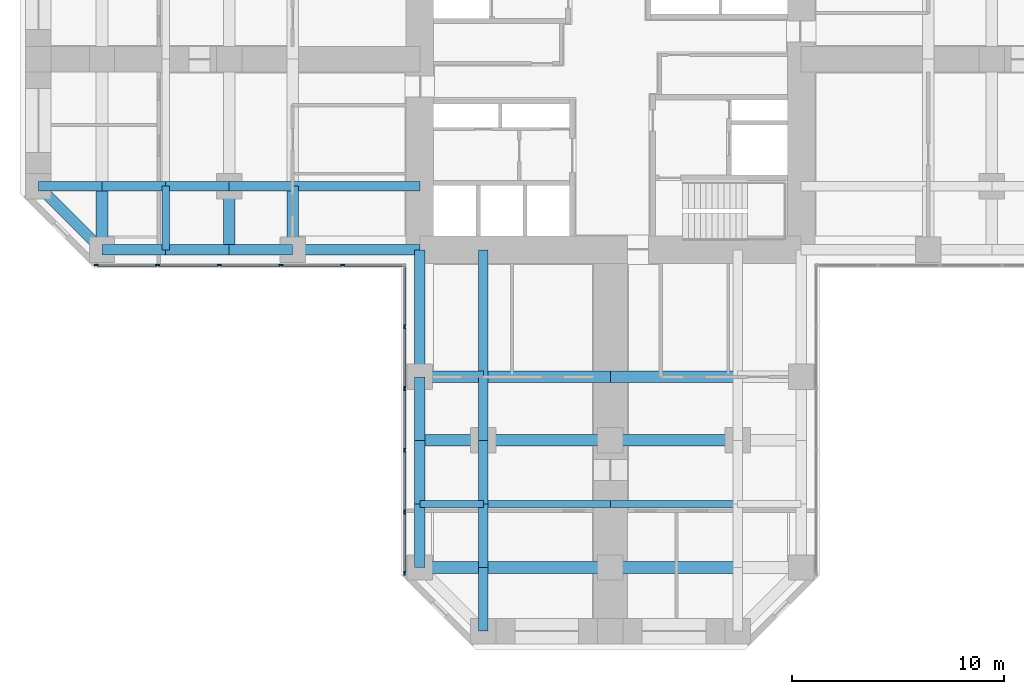
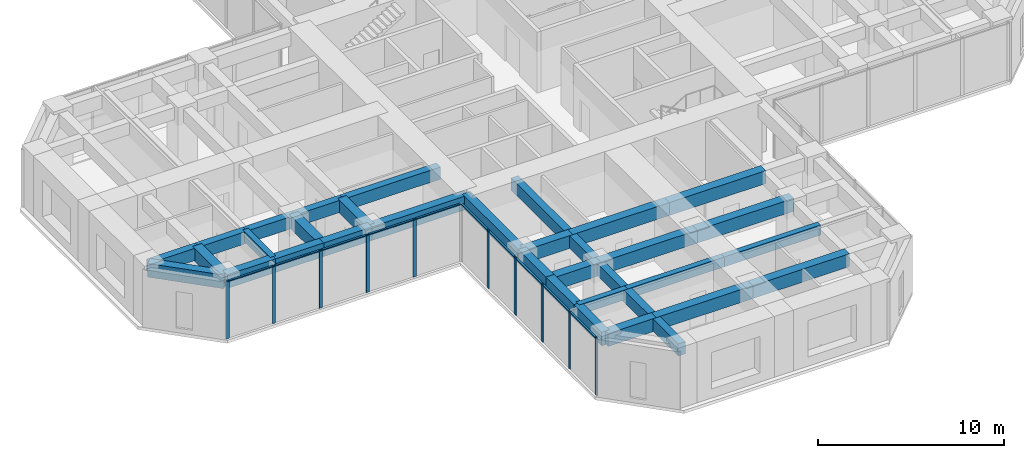
# One storey, part 2 of 13: 35 beams, 20 members, 2 elements without a shape of their own.
"""IFC4 building model written with IfcOpenShell, lengths in metres."""

from ifc_helpers import new_model, si_unit, direction, frame, origin, origin_2d, place, context, subcontext, project, spatial, rectangle, extrude, material, material_profile, profile_set, type_object, element, aggregate, save


model = new_model("IFC4")

# Units and contexts
model_context = context("Model", 3, precision=1e-05, world=origin(), true_north=direction((0.0, 1.0)))
body_context = subcontext(model_context, "Body", "Model", "MODEL_VIEW")
ifc_project = project(units=[si_unit("LENGTHUNIT", "METRE"), si_unit("AREAUNIT", "SQUARE_METRE"), si_unit("VOLUMEUNIT", "CUBIC_METRE"), si_unit("PLANEANGLEUNIT", "RADIAN"), si_unit("MASSUNIT", "GRAM", prefix="KILO")], contexts=[model_context])

# Site, building, storey
site_placement = place(None, origin())
site = spatial("IfcSite", under=ifc_project, at=site_placement, CompositionType="ELEMENT")
building_placement = place(site_placement, origin())
building = spatial("IfcBuilding", under=site, at=building_placement, Name="Torre Cruceta", CompositionType="ELEMENT")
storey_placement = place(building_placement, frame((0.0, 0.0, 47.5)))
storey = spatial("IfcBuildingStorey", under=building, at=storey_placement, Name="L11", CompositionType="ELEMENT", Elevation=47.5)

# Beams
ifc_material_1 = material(Name="Concrete G60 (fck 60 MPa)", Category="concrete")
ifc_material_profile_1 = material_profile(ifc_material_1, rectangle(XDim=0.449951171875, YDim=0.800048828125, at=origin_2d()), Name="RC 450X800")
ifc_profile_set_1 = profile_set([ifc_material_profile_1], Name="Concrete G60 (fck 60 MPa)")
beam_type_1 = type_object("IfcBeamType", Name="COLUMN LINE BEAM RC 450X800", PredefinedType="BEAM", material=ifc_profile_set_1)
beam_1_placement = place(storey_placement, frame((-6.0, -9.0, 3.39990234375), z_axis=(0.0, -1.0, 0.0), x_axis=(1.0, 0.0, 0.0)))
element("IfcBeam", 1, at=beam_1_placement, inside=storey, type_object=beam_type_1, Name="LB1 L11 S col- 1", PredefinedType="BEAM", context=body_context, shape_type="SweptSolid", body=[
    extrude(rectangle(XDim=0.449951171875, YDim=0.800048828125, at=origin_2d()), origin(), (0.0, 0.0, 1.0), 6.0),
])
for number, where, z_axis, x_axis, name in (
    (2, (-6.0, -15.0, 3.39990234375), (0.0, -1.0, 0.0), (1.0, 0.0, 0.0), "LB1 L11 S col- 2"),
    (3, (-6.0, -18.0, 3.39990234375), (0.0, -1.0, 0.0), (1.0, 0.0, 0.0), "LB1 L11 S col- 3"),
    (4, (-6.0, -21.0, 3.39990234375), (0.0, -1.0, 0.0), (1.0, 0.0, 0.0), "LB1 L11 S col- 4"),
    (5, (-6.0, -24.0, 3.39990234375), (0.0, -1.0, 0.0), (1.0, 0.0, 0.0), "LB1 L11 S col- 5"),
):
    element("IfcBeam", number, at=place(storey_placement, frame(where, z_axis=z_axis, x_axis=x_axis)), inside=storey, type_object=beam_type_1, Name=name, PredefinedType="BEAM", context=body_context, shape_type="SweptSolid", body=[
        extrude(rectangle(XDim=0.449951171875, YDim=0.800048828125, at=origin_2d()), origin(), (0.0, 0.0, 1.0), 3.0),
    ])
beam_2_placement = place(storey_placement, frame((-9.0, -6.0, 3.39990234375), z_axis=(-1.0, 0.0, 0.0), x_axis=(0.0, -1.0, 0.0)))
element("IfcBeam", 6, at=beam_2_placement, inside=storey, type_object=beam_type_1, Name="LB1 L11 W col+ 1", PredefinedType="BEAM", context=body_context, shape_type="SweptSolid", body=[
    extrude(rectangle(XDim=0.449951171875, YDim=0.800048828125, at=origin_2d()), origin(), (0.0, 0.0, 1.0), 6.0),
])
for number, where, z_axis, x_axis, name in (
    (7, (-15.0, -6.0, 3.39990234375), (-1.0, 0.0, 0.0), (0.0, -1.0, 0.0), "LB1 L11 W col+ 2"),
    (8, (-18.0, -6.0, 3.39990234375), (-1.0, 0.0, 0.0), (0.0, -1.0, 0.0), "LB1 L11 W col+ 3"),
    (9, (-21.0, -6.0, 3.39990234375), (-1.0, 0.0, 0.0), (0.0, -1.0, 0.0), "LB1 L11 W col+ 4"),
    (10, (-24.0, -6.0, 3.39990234375), (-1.0, 0.0, 0.0), (0.0, -1.0, 0.0), "LB1 L11 W col+ 5"),
):
    element("IfcBeam", number, at=place(storey_placement, frame(where, z_axis=z_axis, x_axis=x_axis)), inside=storey, type_object=beam_type_1, Name=name, PredefinedType="BEAM", context=body_context, shape_type="SweptSolid", body=[
        extrude(rectangle(XDim=0.449951171875, YDim=0.800048828125, at=origin_2d()), origin(), (0.0, 0.0, 1.0), 3.0),
    ])
ifc_material_2 = material(Name="Concrete G60 (fck 60 MPa)", Category="concrete")
ifc_material_profile_2 = material_profile(ifc_material_2, rectangle(XDim=0.550048828125, YDim=0.85009765625, at=origin_2d()), Name="RC 550X850")
ifc_profile_set_2 = profile_set([ifc_material_profile_2], Name="Concrete G60 (fck 60 MPa)")
beam_type_2 = type_object("IfcBeamType", Name="CROSS BEAM RC 550X850", PredefinedType="BEAM", material=ifc_profile_set_2)
beam_3_placement = place(storey_placement, frame((-9.0, -15.0, 3.375), z_axis=(1.0, 0.0, 0.0), x_axis=(0.0, 1.0, 0.0)))
element("IfcBeam", 11, at=beam_3_placement, inside=storey, type_object=beam_type_2, Name="GB4 L11 S cross15 1", PredefinedType="BEAM", context=body_context, shape_type="SweptSolid", body=[
    extrude(rectangle(XDim=0.550048828125, YDim=0.85009765625, at=origin_2d()), origin(), (0.0, 0.0, 1.0), 3.0),
])
for number, where, z_axis, x_axis, name in (
    (12, (-6.0, -15.0, 3.375), (1.0, 0.0, 0.0), (0.0, 1.0, 0.0), "GB4 L11 S cross15 2"),
    (13, (0.0, -15.0, 3.375), (1.0, 0.0, 0.0), (0.0, 1.0, 0.0), "GB4 L11 S cross15 3"),
):
    element("IfcBeam", number, at=place(storey_placement, frame(where, z_axis=z_axis, x_axis=x_axis)), inside=storey, type_object=beam_type_2, Name=name, PredefinedType="BEAM", context=body_context, shape_type="SweptSolid", body=[
        extrude(rectangle(XDim=0.550048828125, YDim=0.85009765625, at=origin_2d()), origin(), (0.0, 0.0, 1.0), 6.0),
    ])
beam_4_placement = place(storey_placement, frame((-9.0, -18.0, 3.375), z_axis=(1.0, 0.0, 0.0), x_axis=(0.0, 1.0, 0.0)))
element("IfcBeam", 14, at=beam_4_placement, inside=storey, type_object=beam_type_2, Name="GB4 L11 S cross18 1", PredefinedType="BEAM", context=body_context, shape_type="SweptSolid", body=[
    extrude(rectangle(XDim=0.550048828125, YDim=0.85009765625, at=origin_2d()), origin(), (0.0, 0.0, 1.0), 3.0),
])
for number, where, z_axis, x_axis, name in (
    (15, (-6.0, -18.0, 3.375), (1.0, 0.0, 0.0), (0.0, 1.0, 0.0), "GB4 L11 S cross18 2"),
    (16, (0.0, -18.0, 3.375), (1.0, 0.0, 0.0), (0.0, 1.0, 0.0), "GB4 L11 S cross18 3"),
):
    element("IfcBeam", number, at=place(storey_placement, frame(where, z_axis=z_axis, x_axis=x_axis)), inside=storey, type_object=beam_type_2, Name=name, PredefinedType="BEAM", context=body_context, shape_type="SweptSolid", body=[
        extrude(rectangle(XDim=0.550048828125, YDim=0.85009765625, at=origin_2d()), origin(), (0.0, 0.0, 1.0), 6.0),
    ])
beam_5_placement = place(storey_placement, frame((-9.0, -24.0, 3.375), z_axis=(1.0, 0.0, 0.0), x_axis=(0.0, 1.0, 0.0)))
element("IfcBeam", 17, at=beam_5_placement, inside=storey, type_object=beam_type_2, Name="GB4 L11 S cross24 1", PredefinedType="BEAM", context=body_context, shape_type="SweptSolid", body=[
    extrude(rectangle(XDim=0.550048828125, YDim=0.85009765625, at=origin_2d()), origin(), (0.0, 0.0, 1.0), 3.0),
])
for number, where, z_axis, x_axis, name in (
    (18, (-6.0, -24.0, 3.375), (1.0, 0.0, 0.0), (0.0, 1.0, 0.0), "GB4 L11 S cross24 2"),
    (19, (0.0, -24.0, 3.375), (1.0, 0.0, 0.0), (0.0, 1.0, 0.0), "GB4 L11 S cross24 3"),
):
    element("IfcBeam", number, at=place(storey_placement, frame(where, z_axis=z_axis, x_axis=x_axis)), inside=storey, type_object=beam_type_2, Name=name, PredefinedType="BEAM", context=body_context, shape_type="SweptSolid", body=[
        extrude(rectangle(XDim=0.550048828125, YDim=0.85009765625, at=origin_2d()), origin(), (0.0, 0.0, 1.0), 6.0),
    ])
for number, where, z_axis, x_axis, name in (
    (20, (-15.0, -6.0, 3.375), (0.0, -1.0, 0.0), (1.0, 0.0, 0.0), "GB4 L11 W cross15 4"),
    (21, (-18.0, -6.0, 3.375), (0.0, -1.0, 0.0), (1.0, 0.0, 0.0), "GB4 L11 W cross18 4"),
    (22, (-24.0, -6.0, 3.375), (0.0, -1.0, 0.0), (1.0, 0.0, 0.0), "GB4 L11 W cross24 4"),
):
    element("IfcBeam", number, at=place(storey_placement, frame(where, z_axis=z_axis, x_axis=x_axis)), inside=storey, type_object=beam_type_2, Name=name, PredefinedType="BEAM", context=body_context, shape_type="SweptSolid", body=[
        extrude(rectangle(XDim=0.550048828125, YDim=0.85009765625, at=origin_2d()), origin(), (0.0, 0.0, 1.0), 3.0),
    ])

# Curtain wall, members
ifc_material_3 = material(Name="Aluminium unitised curtain wall", Category="aluminium")
curtain_wall_type = type_object("IfcCurtainWallType", Name="CURTAIN WALL CW-A OFFICE LOW RISE", PredefinedType="USERDEFINED", material=ifc_material_3)
curtain_wall_1_placement = place(storey_placement, origin())
curtain_wall_1 = element("IfcCurtainWall", 23, at=curtain_wall_1_placement, inside=storey, type_object=curtain_wall_type, Name="CW-A L11 W side 14", ObjectType="UNITISED", PredefinedType="USERDEFINED")
ifc_material_4 = material(Name="Aluminium mullion", Category="aluminium")
ifc_material_profile_3 = material_profile(ifc_material_4, rectangle(XDim=0.06494140625, YDim=0.199951171875, at=origin_2d()), Name="AL 65X200")
ifc_profile_set_3 = profile_set([ifc_material_profile_3], Name="Aluminium mullion")
member_type_1 = type_object("IfcMemberType", Name="CW-A MULLION 65X200", PredefinedType="MULLION", material=ifc_profile_set_3)
member_1_placement = place(storey_placement, frame((-24.265625, -9.719970703125, 0.0), z_axis=(0.0, 0.0, 1.0), x_axis=(0.0, 1.0, 0.0)))
member_1 = element("IfcMember", 24, at=member_1_placement, type_object=member_type_1, Name="CW-A mullion 1", PredefinedType="MULLION", context=body_context, shape_type="SweptSolid", body=[
    extrude(rectangle(XDim=0.06494140625, YDim=0.199951171875, at=origin_2d()), origin(), (0.0, 0.0, 1.0), 3.800048828125),
])
member_2_placement = place(storey_placement, frame((-21.382568359375, -9.719970703125, 0.0), z_axis=(0.0, 0.0, 1.0), x_axis=(0.0, 1.0, 0.0)))
member_2 = element("IfcMember", 25, at=member_2_placement, type_object=member_type_1, Name="CW-A mullion 2", PredefinedType="MULLION", context=body_context, shape_type="SweptSolid", body=[
    extrude(rectangle(XDim=0.06494140625, YDim=0.199951171875, at=origin_2d()), origin(), (0.0, 0.0, 1.0), 3.800048828125),
])
member_3_placement = place(storey_placement, frame((-18.467041015625, -9.719970703125, 0.0), z_axis=(0.0, 0.0, 1.0), x_axis=(0.0, 1.0, 0.0)))
member_3 = element("IfcMember", 26, at=member_3_placement, type_object=member_type_1, Name="CW-A mullion 3", PredefinedType="MULLION", context=body_context, shape_type="SweptSolid", body=[
    extrude(rectangle(XDim=0.06494140625, YDim=0.199951171875, at=origin_2d()), origin(), (0.0, 0.0, 1.0), 3.800048828125),
])
member_4_placement = place(storey_placement, frame((-15.55126953125, -9.719970703125, 0.0), z_axis=(0.0, 0.0, 1.0), x_axis=(0.0, 1.0, 0.0)))
member_4 = element("IfcMember", 27, at=member_4_placement, type_object=member_type_1, Name="CW-A mullion 4", PredefinedType="MULLION", context=body_context, shape_type="SweptSolid", body=[
    extrude(rectangle(XDim=0.06494140625, YDim=0.199951171875, at=origin_2d()), origin(), (0.0, 0.0, 1.0), 3.800048828125),
])
member_5_placement = place(storey_placement, frame((-12.6357421875, -9.719970703125, 0.0), z_axis=(0.0, 0.0, 1.0), x_axis=(0.0, 1.0, 0.0)))
member_5 = element("IfcMember", 28, at=member_5_placement, type_object=member_type_1, Name="CW-A mullion 5", PredefinedType="MULLION", context=body_context, shape_type="SweptSolid", body=[
    extrude(rectangle(XDim=0.06494140625, YDim=0.199951171875, at=origin_2d()), origin(), (0.0, 0.0, 1.0), 3.800048828125),
])

curtain_wall_2_placement = place(storey_placement, origin())
curtain_wall_2 = element("IfcCurtainWall", 29, at=curtain_wall_2_placement, inside=storey, type_object=curtain_wall_type, Name="CW-A L11 S side 15", ObjectType="UNITISED", PredefinedType="USERDEFINED")
member_6_placement = place(storey_placement, frame((-9.719970703125, -12.6357421875, 0.0), z_axis=(0.0, 0.0, 1.0), x_axis=(1.0, 0.0, 0.0)))
member_6 = element("IfcMember", 30, at=member_6_placement, type_object=member_type_1, Name="CW-A mullion 2", PredefinedType="MULLION", context=body_context, shape_type="SweptSolid", body=[
    extrude(rectangle(XDim=0.06494140625, YDim=0.199951171875, at=origin_2d()), origin(), (0.0, 0.0, 1.0), 3.800048828125),
])
member_7_placement = place(storey_placement, frame((-9.719970703125, -15.55126953125, 0.0), z_axis=(0.0, 0.0, 1.0), x_axis=(1.0, 0.0, 0.0)))
member_7 = element("IfcMember", 31, at=member_7_placement, type_object=member_type_1, Name="CW-A mullion 3", PredefinedType="MULLION", context=body_context, shape_type="SweptSolid", body=[
    extrude(rectangle(XDim=0.06494140625, YDim=0.199951171875, at=origin_2d()), origin(), (0.0, 0.0, 1.0), 3.800048828125),
])
member_8_placement = place(storey_placement, frame((-9.719970703125, -18.467041015625, 0.0), z_axis=(0.0, 0.0, 1.0), x_axis=(1.0, 0.0, 0.0)))
member_8 = element("IfcMember", 32, at=member_8_placement, type_object=member_type_1, Name="CW-A mullion 4", PredefinedType="MULLION", context=body_context, shape_type="SweptSolid", body=[
    extrude(rectangle(XDim=0.06494140625, YDim=0.199951171875, at=origin_2d()), origin(), (0.0, 0.0, 1.0), 3.800048828125),
])
member_9_placement = place(storey_placement, frame((-9.719970703125, -21.382568359375, 0.0), z_axis=(0.0, 0.0, 1.0), x_axis=(1.0, 0.0, 0.0)))
member_9 = element("IfcMember", 33, at=member_9_placement, type_object=member_type_1, Name="CW-A mullion 5", PredefinedType="MULLION", context=body_context, shape_type="SweptSolid", body=[
    extrude(rectangle(XDim=0.06494140625, YDim=0.199951171875, at=origin_2d()), origin(), (0.0, 0.0, 1.0), 3.800048828125),
])
member_10_placement = place(storey_placement, frame((-9.719970703125, -24.265625, 0.0), z_axis=(0.0, 0.0, 1.0), x_axis=(1.0, 0.0, 0.0)))
member_10 = element("IfcMember", 34, at=member_10_placement, type_object=member_type_1, Name="CW-A mullion 6", PredefinedType="MULLION", context=body_context, shape_type="SweptSolid", body=[
    extrude(rectangle(XDim=0.06494140625, YDim=0.199951171875, at=origin_2d()), origin(), (0.0, 0.0, 1.0), 3.800048828125),
])

# Member
ifc_material_5 = material(Name="Aluminium transom", Category="aluminium")
ifc_material_profile_4 = material_profile(ifc_material_5, rectangle(XDim=0.1201171875, YDim=0.06494140625, at=origin_2d()), Name="AL 120X65")
ifc_profile_set_4 = profile_set([ifc_material_profile_4], Name="Aluminium transom")
member_type_2 = type_object("IfcMemberType", Name="CW-A TRANSOM 65X120", PredefinedType="USERDEFINED", material=ifc_profile_set_4)
member_11_placement = place(storey_placement, frame((-24.233154296875, -9.719970703125, 3.767578125), z_axis=(1.0, 0.0, 0.0), x_axis=(0.0, 1.0, 0.0)))
member_11 = element("IfcMember", 35, at=member_11_placement, type_object=member_type_2, Name="CW-A transom 1", ObjectType="TRANSOM", PredefinedType="USERDEFINED", context=body_context, shape_type="SweptSolid", body=[
    extrude(rectangle(XDim=0.1201171875, YDim=0.06494140625, at=origin_2d()), origin(), (0.0, 0.0, 1.0), 2.818115234375),
])

member_12_placement = place(storey_placement, frame((-21.35009765625, -9.719970703125, 3.767578125), z_axis=(1.0, 0.0, 0.0), x_axis=(0.0, 1.0, 0.0)))
member_12 = element("IfcMember", 36, at=member_12_placement, type_object=member_type_2, Name="CW-A transom 2", ObjectType="TRANSOM", PredefinedType="USERDEFINED", context=body_context, shape_type="SweptSolid", body=[
    extrude(rectangle(XDim=0.1201171875, YDim=0.06494140625, at=origin_2d()), origin(), (0.0, 0.0, 1.0), 2.8505859375),
])

member_13_placement = place(storey_placement, frame((-18.434326171875, -9.719970703125, 3.767578125), z_axis=(1.0, 0.0, 0.0), x_axis=(0.0, 1.0, 0.0)))
member_13 = element("IfcMember", 37, at=member_13_placement, type_object=member_type_2, Name="CW-A transom 3", ObjectType="TRANSOM", PredefinedType="USERDEFINED", context=body_context, shape_type="SweptSolid", body=[
    extrude(rectangle(XDim=0.1201171875, YDim=0.06494140625, at=origin_2d()), origin(), (0.0, 0.0, 1.0), 2.8505859375),
])

member_14_placement = place(storey_placement, frame((-15.518798828125, -9.719970703125, 3.767578125), z_axis=(1.0, 0.0, 0.0), x_axis=(0.0, 1.0, 0.0)))
member_14 = element("IfcMember", 38, at=member_14_placement, type_object=member_type_2, Name="CW-A transom 4", ObjectType="TRANSOM", PredefinedType="USERDEFINED", context=body_context, shape_type="SweptSolid", body=[
    extrude(rectangle(XDim=0.1201171875, YDim=0.06494140625, at=origin_2d()), origin(), (0.0, 0.0, 1.0), 2.8505859375),
])

member_15_placement = place(storey_placement, frame((-12.60302734375, -9.719970703125, 3.767578125), z_axis=(1.0, 0.0, 0.0), x_axis=(0.0, 1.0, 0.0)))
member_15 = element("IfcMember", 39, at=member_15_placement, type_object=member_type_2, Name="CW-A transom 5", ObjectType="TRANSOM", PredefinedType="USERDEFINED", context=body_context, shape_type="SweptSolid", body=[
    extrude(rectangle(XDim=0.1201171875, YDim=0.06494140625, at=origin_2d()), origin(), (0.0, 0.0, 1.0), 2.818115234375),
])

aggregate(curtain_wall_1, [member_1, member_2, member_3, member_4, member_5, member_11, member_12, member_13, member_14, member_15])

member_16_placement = place(storey_placement, frame((-9.719970703125, -9.784912109375, 3.767578125), z_axis=(0.0, -1.0, 0.0), x_axis=(1.0, 0.0, 0.0)))
member_16 = element("IfcMember", 40, at=member_16_placement, type_object=member_type_2, Name="CW-A transom 1", ObjectType="TRANSOM", PredefinedType="USERDEFINED", context=body_context, shape_type="SweptSolid", body=[
    extrude(rectangle(XDim=0.1201171875, YDim=0.06494140625, at=origin_2d()), origin(), (0.0, 0.0, 1.0), 2.818115234375),
])

member_17_placement = place(storey_placement, frame((-9.719970703125, -12.668212890625, 3.767578125), z_axis=(0.0, -1.0, 0.0), x_axis=(1.0, 0.0, 0.0)))
member_17 = element("IfcMember", 41, at=member_17_placement, type_object=member_type_2, Name="CW-A transom 2", ObjectType="TRANSOM", PredefinedType="USERDEFINED", context=body_context, shape_type="SweptSolid", body=[
    extrude(rectangle(XDim=0.1201171875, YDim=0.06494140625, at=origin_2d()), origin(), (0.0, 0.0, 1.0), 2.8505859375),
])

member_18_placement = place(storey_placement, frame((-9.719970703125, -15.583740234375, 3.767578125), z_axis=(0.0, -1.0, 0.0), x_axis=(1.0, 0.0, 0.0)))
member_18 = element("IfcMember", 42, at=member_18_placement, type_object=member_type_2, Name="CW-A transom 3", ObjectType="TRANSOM", PredefinedType="USERDEFINED", context=body_context, shape_type="SweptSolid", body=[
    extrude(rectangle(XDim=0.1201171875, YDim=0.06494140625, at=origin_2d()), origin(), (0.0, 0.0, 1.0), 2.8505859375),
])

member_19_placement = place(storey_placement, frame((-9.719970703125, -18.49951171875, 3.767578125), z_axis=(0.0, -1.0, 0.0), x_axis=(1.0, 0.0, 0.0)))
member_19 = element("IfcMember", 43, at=member_19_placement, type_object=member_type_2, Name="CW-A transom 4", ObjectType="TRANSOM", PredefinedType="USERDEFINED", context=body_context, shape_type="SweptSolid", body=[
    extrude(rectangle(XDim=0.1201171875, YDim=0.06494140625, at=origin_2d()), origin(), (0.0, 0.0, 1.0), 2.8505859375),
])

member_20_placement = place(storey_placement, frame((-9.719970703125, -21.4150390625, 3.767578125), z_axis=(0.0, -1.0, 0.0), x_axis=(1.0, 0.0, 0.0)))
member_20 = element("IfcMember", 44, at=member_20_placement, type_object=member_type_2, Name="CW-A transom 5", ObjectType="TRANSOM", PredefinedType="USERDEFINED", context=body_context, shape_type="SweptSolid", body=[
    extrude(rectangle(XDim=0.1201171875, YDim=0.06494140625, at=origin_2d()), origin(), (0.0, 0.0, 1.0), 2.818115234375),
])

aggregate(curtain_wall_2, [member_6, member_7, member_8, member_9, member_10, member_16, member_17, member_18, member_19, member_20])

# Beams
ifc_material_6 = material(Name="Concrete G60 (fck 60 MPa)", Category="concrete")
ifc_material_profile_5 = material_profile(ifc_material_6, rectangle(XDim=0.35009765625, YDim=0.64990234375, at=origin_2d()), Name="RC 350X650")
ifc_profile_set_5 = profile_set([ifc_material_profile_5], Name="Concrete G60 (fck 60 MPa)")
beam_type_3 = type_object("IfcBeamType", Name="SECONDARY BEAM RC 350X650", PredefinedType="JOIST", material=ifc_profile_set_5)
beam_6_placement = place(storey_placement, frame((-9.0, -21.0, 3.47509765625), z_axis=(1.0, 0.0, 0.0), x_axis=(0.0, 1.0, 0.0)))
element("IfcBeam", 45, at=beam_6_placement, inside=storey, type_object=beam_type_3, Name="JB3 L11 S sec21 1", PredefinedType="JOIST", context=body_context, shape_type="SweptSolid", body=[
    extrude(rectangle(XDim=0.35009765625, YDim=0.64990234375, at=origin_2d()), origin(), (0.0, 0.0, 1.0), 3.0),
])
for number, where, z_axis, x_axis, name in (
    (46, (-6.0, -21.0, 3.47509765625), (1.0, 0.0, 0.0), (0.0, 1.0, 0.0), "JB3 L11 S sec21 2"),
    (47, (0.0, -21.0, 3.47509765625), (1.0, 0.0, 0.0), (0.0, 1.0, 0.0), "JB3 L11 S sec21 3"),
):
    element("IfcBeam", number, at=place(storey_placement, frame(where, z_axis=z_axis, x_axis=x_axis)), inside=storey, type_object=beam_type_3, Name=name, PredefinedType="JOIST", context=body_context, shape_type="SweptSolid", body=[
        extrude(rectangle(XDim=0.35009765625, YDim=0.64990234375, at=origin_2d()), origin(), (0.0, 0.0, 1.0), 6.0),
    ])
beam_7_placement = place(storey_placement, frame((-21.0, -6.0, 3.47509765625), z_axis=(0.0, -1.0, 0.0), x_axis=(1.0, 0.0, 0.0)))
element("IfcBeam", 48, at=beam_7_placement, inside=storey, type_object=beam_type_3, Name="JB3 L11 W sec21 4", PredefinedType="JOIST", context=body_context, shape_type="SweptSolid", body=[
    extrude(rectangle(XDim=0.35009765625, YDim=0.64990234375, at=origin_2d()), origin(), (0.0, 0.0, 1.0), 3.0),
])
ifc_material_7 = material(Name="Concrete G60 (fck 60 MPa)", Category="concrete")
ifc_material_profile_6 = material_profile(ifc_material_7, rectangle(XDim=0.5, YDim=0.89990234375, at=origin_2d()), Name="RC 500X900")
ifc_profile_set_6 = profile_set([ifc_material_profile_6], Name="Concrete G60 (fck 60 MPa)")
beam_type_4 = type_object("IfcBeamType", Name="SPANDREL BEAM RC 500X900", PredefinedType="SPANDREL", material=ifc_profile_set_6)
beam_8_placement = place(storey_placement, frame((-9.0, -9.0, 3.35009765625), z_axis=(0.0, -1.0, 0.0), x_axis=(1.0, 0.0, 0.0)))
element("IfcBeam", 49, at=beam_8_placement, inside=storey, type_object=beam_type_4, Name="SB4 L11 S side- 1", PredefinedType="SPANDREL", context=body_context, shape_type="SweptSolid", body=[
    extrude(rectangle(XDim=0.5, YDim=0.89990234375, at=origin_2d()), origin(), (0.0, 0.0, 1.0), 6.0),
])
for number, where, z_axis, x_axis, name in (
    (50, (-9.0, -15.0, 3.35009765625), (0.0, -1.0, 0.0), (1.0, 0.0, 0.0), "SB4 L11 S side- 2"),
    (51, (-9.0, -18.0, 3.35009765625), (0.0, -1.0, 0.0), (1.0, 0.0, 0.0), "SB4 L11 S side- 3"),
    (52, (-9.0, -21.0, 3.35009765625), (0.0, -1.0, 0.0), (1.0, 0.0, 0.0), "SB4 L11 S side- 4"),
):
    element("IfcBeam", number, at=place(storey_placement, frame(where, z_axis=z_axis, x_axis=x_axis)), inside=storey, type_object=beam_type_4, Name=name, PredefinedType="SPANDREL", context=body_context, shape_type="SweptSolid", body=[
        extrude(rectangle(XDim=0.5, YDim=0.89990234375, at=origin_2d()), origin(), (0.0, 0.0, 1.0), 3.0),
    ])
beam_9_placement = place(storey_placement, frame((-9.0, -9.0, 3.35009765625), z_axis=(-1.0, 0.0, 0.0), x_axis=(0.0, -1.0, 0.0)))
element("IfcBeam", 53, at=beam_9_placement, inside=storey, type_object=beam_type_4, Name="SB4 L11 W side+ 1", PredefinedType="SPANDREL", context=body_context, shape_type="SweptSolid", body=[
    extrude(rectangle(XDim=0.5, YDim=0.89990234375, at=origin_2d()), origin(), (0.0, 0.0, 1.0), 6.0),
])
for number, where, z_axis, x_axis, name in (
    (54, (-15.0, -9.0, 3.35009765625), (-1.0, 0.0, 0.0), (0.0, -1.0, 0.0), "SB4 L11 W side+ 2"),
    (55, (-18.0, -9.0, 3.35009765625), (-1.0, 0.0, 0.0), (0.0, -1.0, 0.0), "SB4 L11 W side+ 3"),
    (56, (-21.0, -9.0, 3.35009765625), (-1.0, 0.0, 0.0), (0.0, -1.0, 0.0), "SB4 L11 W side+ 4"),
):
    element("IfcBeam", number, at=place(storey_placement, frame(where, z_axis=z_axis, x_axis=x_axis)), inside=storey, type_object=beam_type_4, Name=name, PredefinedType="SPANDREL", context=body_context, shape_type="SweptSolid", body=[
        extrude(rectangle(XDim=0.5, YDim=0.89990234375, at=origin_2d()), origin(), (0.0, 0.0, 1.0), 3.0),
    ])
beam_10_placement = place(storey_placement, frame((-24.0, -9.0, 3.35009765625), z_axis=(-0.707106781187, 0.707106781187, 0.0), x_axis=(-0.707106781187, -0.707106781187, 0.0)))
element("IfcBeam", 57, at=beam_10_placement, inside=storey, type_object=beam_type_4, Name="SB4 L11 W side+ 5", PredefinedType="SPANDREL", context=body_context, shape_type="SweptSolid", body=[
    extrude(rectangle(XDim=0.5, YDim=0.89990234375, at=origin_2d()), origin(), (0.0, 0.0, 1.0), 4.24267578125),
])

save(model, "model.ifc")
